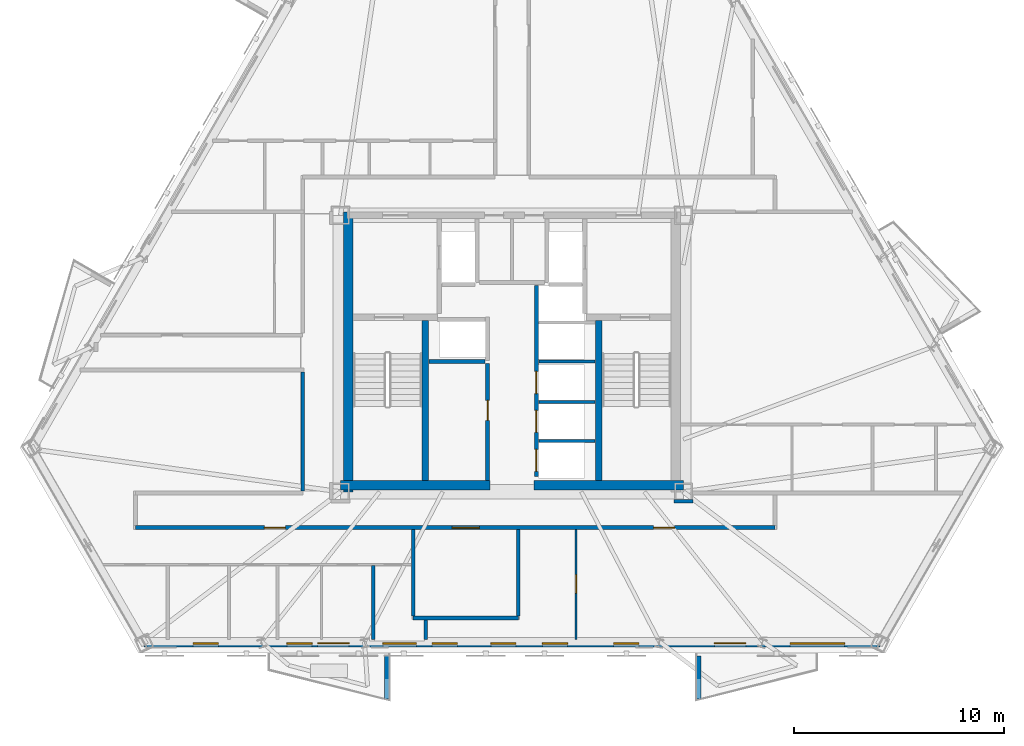
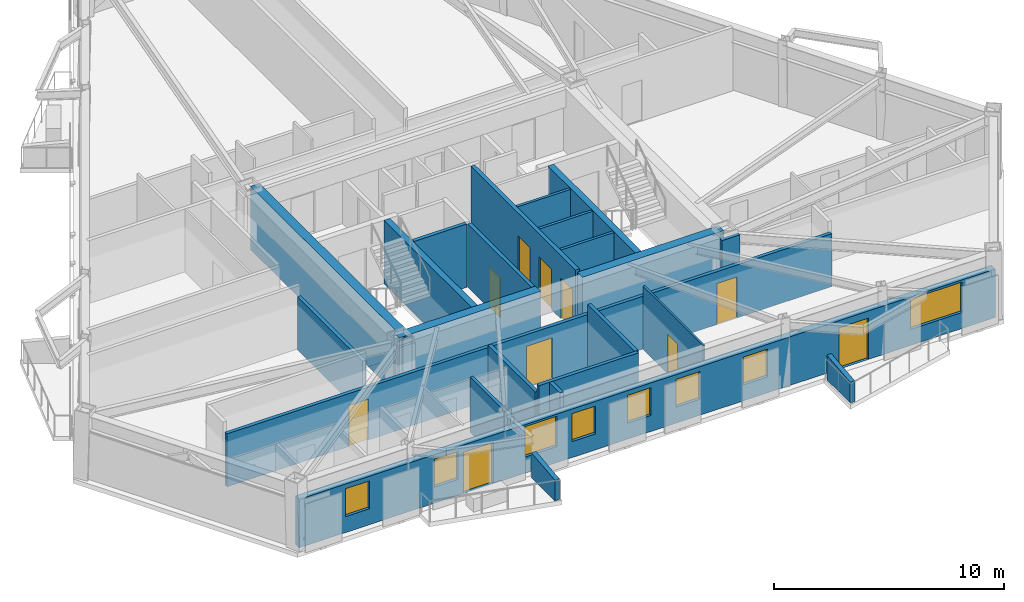
# One storey, part 3 of 9: 23 walls, 10 doors, 8 windows, 18 openings.
"""IFC4 building model written with IfcOpenShell, lengths in metres."""

from ifc_helpers import new_model, si_unit, direction, frame, frame_2d, origin, place, context, subcontext, project, spatial, polyline, rectangle, outline, extrude, material, layer, layer_set, type_object, element, fill, save


model = new_model("IFC4")

# Units and contexts
model_context = context("Model", 3, precision=1e-05, world=origin(), true_north=direction((0.0, 1.0)))
body_context = subcontext(model_context, "Body", "Model", "MODEL_VIEW")
ifc_project = project(units=[si_unit("LENGTHUNIT", "METRE"), si_unit("AREAUNIT", "SQUARE_METRE"), si_unit("VOLUMEUNIT", "CUBIC_METRE"), si_unit("PLANEANGLEUNIT", "RADIAN"), si_unit("MASSUNIT", "GRAM", prefix="KILO")], contexts=[model_context])

# Site, building, storey
site_placement = place(None, origin())
site = spatial("IfcSite", under=ifc_project, at=site_placement, CompositionType="ELEMENT")
building_placement = place(site_placement, origin())
building = spatial("IfcBuilding", under=site, at=building_placement, Name="Oramaril Tower", CompositionType="ELEMENT")
storey_placement = place(building_placement, frame((0.0, 0.0, 123.0)))
storey = spatial("IfcBuildingStorey", under=building, at=storey_placement, Name="L32", CompositionType="ELEMENT", Elevation=123.0)

# Wall, openings, doors, windows
ifc_material_1 = material(Name="Warm Cream Limestone", Category="masonry")
ifc_layer_1 = layer(ifc_material_1, 0.340087890625)
ifc_layer_set_1 = layer_set([ifc_layer_1], Name="WT-EXT34")
wall_type_1 = type_object("IfcWallType", Name="WT-EXT34", PredefinedType="SOLIDWALL", material=ifc_layer_set_1)
wall_1_placement = place(storey_placement, frame((20.01220703125, 3.796142578125, 0.0), z_axis=(0.0, 0.0, 1.0), x_axis=(1.0, 0.0, 0.0)))
wall_1 = element("IfcWall", 1, at=wall_1_placement, inside=storey, type_object=wall_type_1, Name="L32 Tower Limestone Facade Wall 2M", PredefinedType="SOLIDWALL", context=body_context, shape_type="SweptSolid", body=[
    extrude(rectangle(XDim=34.9755859375, YDim=0.340087890625, at=frame_2d((17.48779296875, 0.0))), origin(), (0.0, 0.0, 1.0), 2.577880859375),
])
opening_1_placement = place(wall_1_placement, frame((8.244384765625, 0.0, 0.0)))
opening_1 = element("IfcOpeningElement", 2, at=opening_1_placement, cuts=wall_1, Name="Opening D-L32-BAL-S1", PredefinedType="OPENING", context=body_context, shape_type="SweptSolid", body=[
    extrude(rectangle(XDim=1.5, YDim=2.199951171875, at=frame_2d((0.75, 1.10009765625))), frame((0.0, 0.169921875, 0.0), z_axis=(0.0, -1.0, 0.0), x_axis=(1.0, 0.0, 0.0)), (0.0, 0.0, 1.0), 0.340087890625),
])
opening_2_placement = place(wall_1_placement, frame((27.106201171875, 0.0, 0.0)))
opening_2 = element("IfcOpeningElement", 3, at=opening_2_placement, cuts=wall_1, Name="Opening D-L32-BAL-S2", PredefinedType="OPENING", context=body_context, shape_type="SweptSolid", body=[
    extrude(rectangle(XDim=1.5, YDim=2.199951171875, at=frame_2d((0.75, 1.10009765625))), frame((0.0, 0.169921875, 0.0), z_axis=(0.0, -1.0, 0.0), x_axis=(1.0, 0.0, 0.0)), (0.0, 0.0, 1.0), 0.340087890625),
])
opening_3_placement = place(wall_1_placement, frame((13.689697265625, 0.0, 0.85009765625)))
opening_3 = element("IfcOpeningElement", 4, at=opening_3_placement, cuts=wall_1, Name="Opening WN-09", PredefinedType="OPENING", context=body_context, shape_type="SweptSolid", body=[
    extrude(rectangle(XDim=1.199951171875, YDim=1.47998046875, at=frame_2d((0.60009765625, 0.739990234375))), frame((0.0, 0.169921875, 0.0), z_axis=(0.0, -1.0, 0.0), x_axis=(1.0, 0.0, 0.0)), (0.0, 0.0, 1.0), 0.340087890625),
])
opening_4_placement = place(wall_1_placement, frame((16.477783203125, 0.0, 0.85009765625)))
opening_4 = element("IfcOpeningElement", 5, at=opening_4_placement, cuts=wall_1, Name="Opening WN-09", PredefinedType="OPENING", context=body_context, shape_type="SweptSolid", body=[
    extrude(rectangle(XDim=1.199951171875, YDim=1.47998046875, at=frame_2d((0.60009765625, 0.739990234375))), frame((0.0, 0.169921875, 0.0), z_axis=(0.0, -1.0, 0.0), x_axis=(1.0, 0.0, 0.0)), (0.0, 0.0, 1.0), 0.340087890625),
])
opening_5_placement = place(wall_1_placement, frame((22.322509765625, 0.0, 0.85009765625)))
opening_5 = element("IfcOpeningElement", 6, at=opening_5_placement, cuts=wall_1, Name="Opening WN-09", PredefinedType="OPENING", context=body_context, shape_type="SweptSolid", body=[
    extrude(rectangle(XDim=1.199951171875, YDim=1.47998046875, at=frame_2d((0.60009765625, 0.739990234375))), frame((0.0, 0.169921875, 0.0), z_axis=(0.0, -1.0, 0.0), x_axis=(1.0, 0.0, 0.0)), (0.0, 0.0, 1.0), 0.340087890625),
])
opening_6_placement = place(wall_1_placement, frame((30.70849609375, 0.0, 0.85009765625)))
opening_6 = element("IfcOpeningElement", 7, at=opening_6_placement, cuts=wall_1, Name="Opening WN-02", PredefinedType="OPENING", context=body_context, shape_type="SweptSolid", body=[
    extrude(rectangle(XDim=2.60009765625, YDim=1.617919921875, at=frame_2d((1.300048828125, 0.80908203125))), frame((0.0, 0.169921875, 0.0), z_axis=(0.0, -1.0, 0.0), x_axis=(1.0, 0.0, 0.0)), (0.0, 0.0, 1.0), 0.340087890625),
])
opening_7_placement = place(wall_1_placement, frame((18.92822265625, 0.0, 0.85009765625)))
opening_7 = element("IfcOpeningElement", 8, at=opening_7_placement, cuts=wall_1, Name="Opening WN-09", PredefinedType="OPENING", context=body_context, shape_type="SweptSolid", body=[
    extrude(rectangle(XDim=1.199951171875, YDim=1.47998046875, at=frame_2d((0.60009765625, 0.739990234375))), frame((0.0, 0.169921875, 0.0), z_axis=(0.0, -1.0, 0.0), x_axis=(1.0, 0.0, 0.0)), (0.0, 0.0, 1.0), 0.340087890625),
])
opening_8_placement = place(wall_1_placement, frame((2.3203125, 0.0, 0.85009765625)))
opening_8 = element("IfcOpeningElement", 9, at=opening_8_placement, cuts=wall_1, Name="Opening WN-09", PredefinedType="OPENING", context=body_context, shape_type="SweptSolid", body=[
    extrude(rectangle(XDim=1.199951171875, YDim=1.47998046875, at=frame_2d((0.60009765625, 0.739990234375))), frame((0.0, 0.169921875, 0.0), z_axis=(0.0, -1.0, 0.0), x_axis=(1.0, 0.0, 0.0)), (0.0, 0.0, 1.0), 0.340087890625),
])
opening_9_placement = place(wall_1_placement, frame((6.781982421875, 0.0, 0.85009765625)))
opening_9 = element("IfcOpeningElement", 10, at=opening_9_placement, cuts=wall_1, Name="Opening WN-09", PredefinedType="OPENING", context=body_context, shape_type="SweptSolid", body=[
    extrude(rectangle(XDim=1.199951171875, YDim=1.47998046875, at=frame_2d((0.60009765625, 0.739990234375))), frame((0.0, 0.169921875, 0.0), z_axis=(0.0, -1.0, 0.0), x_axis=(1.0, 0.0, 0.0)), (0.0, 0.0, 1.0), 0.340087890625),
])
opening_10_placement = place(wall_1_placement, frame((11.3427734375, 0.0, 0.85009765625)))
opening_10 = element("IfcOpeningElement", 11, at=opening_10_placement, cuts=wall_1, Name="Opening WN-07", PredefinedType="OPENING", context=body_context, shape_type="SweptSolid", body=[
    extrude(rectangle(XDim=1.60009765625, YDim=1.617919921875, at=frame_2d((0.800048828125, 0.80908203125))), frame((0.0, 0.169921875, 0.0), z_axis=(0.0, -1.0, 0.0), x_axis=(1.0, 0.0, 0.0)), (0.0, 0.0, 1.0), 0.340087890625),
])
ifc_material_2 = material(Name="Anodised Aluminium 6063-T6", Category="aluminium")
door_type_1 = type_object("IfcDoorType", Name="DT-BAL", OperationType="NOTDEFINED", PredefinedType="DOOR", material=ifc_material_2)
door_1_placement = place(opening_1_placement, origin())
door_1 = element("IfcDoor", 12, at=door_1_placement, inside=storey, type_object=door_type_1, Name="L32 Balcony Glazed Door L32-BAL-S1", OperationType="SINGLE_SWING_LEFT", OverallHeight=2.199951171875, OverallWidth=1.5, PredefinedType="DOOR", context=body_context, shape_type="SweptSolid", body=[
    extrude(rectangle(XDim=1.5, YDim=2.199951171875, at=frame_2d((0.75, 1.10009765625))), frame((0.0, 0.02490234375, 0.0), z_axis=(0.0, -1.0, 0.0), x_axis=(1.0, 0.0, 0.0)), (0.0, 0.0, 1.0), 0.050048828125),
])
fill(opening_1, door_1)
door_2_placement = place(opening_2_placement, origin())
door_2 = element("IfcDoor", 13, at=door_2_placement, inside=storey, type_object=door_type_1, Name="L32 Balcony Glazed Door L32-BAL-S2", OperationType="SINGLE_SWING_RIGHT", OverallHeight=2.199951171875, OverallWidth=1.5, PredefinedType="DOOR", context=body_context, shape_type="SweptSolid", body=[
    extrude(rectangle(XDim=1.5, YDim=2.199951171875, at=frame_2d((0.75, 1.10009765625))), frame((0.0, 0.02490234375, 0.0), z_axis=(0.0, -1.0, 0.0), x_axis=(1.0, 0.0, 0.0)), (0.0, 0.0, 1.0), 0.050048828125),
])
fill(opening_2, door_2)
ifc_material_3 = material(Name="Coastal Low-E Insulated Glass", Category="glass")
window_type_1 = type_object("IfcWindowType", Name="WNT-02", PartitioningType="SINGLE_PANEL", PredefinedType="WINDOW", material=ifc_material_3)
window_1_placement = place(opening_6_placement, origin())
window_1 = element("IfcWindow", 14, at=window_1_placement, inside=storey, type_object=window_type_1, Name="L32 Chicago Bay Window WN-02", OverallHeight=1.617919921875, OverallWidth=2.60009765625, PartitioningType="SINGLE_PANEL", PredefinedType="WINDOW", context=body_context, shape_type="SweptSolid", body=[
    extrude(rectangle(XDim=2.60009765625, YDim=1.617919921875, at=frame_2d((1.300048828125, 0.80908203125))), frame((0.0, 0.030029296875, 0.0), z_axis=(0.0, -1.0, 0.0), x_axis=(1.0, 0.0, 0.0)), (0.0, 0.0, 1.0), 0.06005859375),
])
fill(opening_6, window_1)
ifc_material_4 = material(Name="Coastal Low-E Insulated Glass", Category="glass")
window_type_2 = type_object("IfcWindowType", Name="WNT-07", PartitioningType="SINGLE_PANEL", PredefinedType="WINDOW", material=ifc_material_4)
window_2_placement = place(opening_10_placement, origin())
window_2 = element("IfcWindow", 15, at=window_2_placement, inside=storey, type_object=window_type_2, Name="L32 Chicago Bay Window WN-07", OverallHeight=1.617919921875, OverallWidth=1.60009765625, PartitioningType="SINGLE_PANEL", PredefinedType="WINDOW", context=body_context, shape_type="SweptSolid", body=[
    extrude(rectangle(XDim=1.60009765625, YDim=1.617919921875, at=frame_2d((0.800048828125, 0.80908203125))), frame((0.0, 0.030029296875, 0.0), z_axis=(0.0, -1.0, 0.0), x_axis=(1.0, 0.0, 0.0)), (0.0, 0.0, 1.0), 0.06005859375),
])
fill(opening_10, window_2)
ifc_material_5 = material(Name="Coastal Low-E Insulated Glass", Category="glass")
window_type_3 = type_object("IfcWindowType", Name="WNT-09", PartitioningType="SINGLE_PANEL", PredefinedType="WINDOW", material=ifc_material_5)
window_3_placement = place(opening_3_placement, origin())
window_3 = element("IfcWindow", 16, at=window_3_placement, inside=storey, type_object=window_type_3, Name="L32 Chicago Bay Window WN-09", OverallHeight=1.47998046875, OverallWidth=1.199951171875, PartitioningType="SINGLE_PANEL", PredefinedType="WINDOW", context=body_context, shape_type="SweptSolid", body=[
    extrude(rectangle(XDim=1.199951171875, YDim=1.47998046875, at=frame_2d((0.60009765625, 0.739990234375))), frame((0.0, 0.030029296875, 0.0), z_axis=(0.0, -1.0, 0.0), x_axis=(1.0, 0.0, 0.0)), (0.0, 0.0, 1.0), 0.06005859375),
])
fill(opening_3, window_3)
window_4_placement = place(opening_4_placement, origin())
window_4 = element("IfcWindow", 17, at=window_4_placement, inside=storey, type_object=window_type_3, Name="L32 Chicago Bay Window WN-09", OverallHeight=1.47998046875, OverallWidth=1.199951171875, PartitioningType="SINGLE_PANEL", PredefinedType="WINDOW", context=body_context, shape_type="SweptSolid", body=[
    extrude(rectangle(XDim=1.199951171875, YDim=1.47998046875, at=frame_2d((0.60009765625, 0.739990234375))), frame((0.0, 0.030029296875, 0.0), z_axis=(0.0, -1.0, 0.0), x_axis=(1.0, 0.0, 0.0)), (0.0, 0.0, 1.0), 0.06005859375),
])
fill(opening_4, window_4)
window_5_placement = place(opening_5_placement, origin())
window_5 = element("IfcWindow", 18, at=window_5_placement, inside=storey, type_object=window_type_3, Name="L32 Chicago Bay Window WN-09", OverallHeight=1.47998046875, OverallWidth=1.199951171875, PartitioningType="SINGLE_PANEL", PredefinedType="WINDOW", context=body_context, shape_type="SweptSolid", body=[
    extrude(rectangle(XDim=1.199951171875, YDim=1.47998046875, at=frame_2d((0.60009765625, 0.739990234375))), frame((0.0, 0.030029296875, 0.0), z_axis=(0.0, -1.0, 0.0), x_axis=(1.0, 0.0, 0.0)), (0.0, 0.0, 1.0), 0.06005859375),
])
fill(opening_5, window_5)
window_6_placement = place(opening_7_placement, origin())
window_6 = element("IfcWindow", 19, at=window_6_placement, inside=storey, type_object=window_type_3, Name="L32 Chicago Bay Window WN-09", OverallHeight=1.47998046875, OverallWidth=1.199951171875, PartitioningType="SINGLE_PANEL", PredefinedType="WINDOW", context=body_context, shape_type="SweptSolid", body=[
    extrude(rectangle(XDim=1.199951171875, YDim=1.47998046875, at=frame_2d((0.60009765625, 0.739990234375))), frame((0.0, 0.030029296875, 0.0), z_axis=(0.0, -1.0, 0.0), x_axis=(1.0, 0.0, 0.0)), (0.0, 0.0, 1.0), 0.06005859375),
])
fill(opening_7, window_6)
window_7_placement = place(opening_8_placement, origin())
window_7 = element("IfcWindow", 20, at=window_7_placement, inside=storey, type_object=window_type_3, Name="L32 Chicago Bay Window WN-09", OverallHeight=1.47998046875, OverallWidth=1.199951171875, PartitioningType="SINGLE_PANEL", PredefinedType="WINDOW", context=body_context, shape_type="SweptSolid", body=[
    extrude(rectangle(XDim=1.199951171875, YDim=1.47998046875, at=frame_2d((0.60009765625, 0.739990234375))), frame((0.0, 0.030029296875, 0.0), z_axis=(0.0, -1.0, 0.0), x_axis=(1.0, 0.0, 0.0)), (0.0, 0.0, 1.0), 0.06005859375),
])
fill(opening_8, window_7)
window_8_placement = place(opening_9_placement, origin())
window_8 = element("IfcWindow", 21, at=window_8_placement, inside=storey, type_object=window_type_3, Name="L32 Chicago Bay Window WN-09", OverallHeight=1.47998046875, OverallWidth=1.199951171875, PartitioningType="SINGLE_PANEL", PredefinedType="WINDOW", context=body_context, shape_type="SweptSolid", body=[
    extrude(rectangle(XDim=1.199951171875, YDim=1.47998046875, at=frame_2d((0.60009765625, 0.739990234375))), frame((0.0, 0.030029296875, 0.0), z_axis=(0.0, -1.0, 0.0), x_axis=(1.0, 0.0, 0.0)), (0.0, 0.0, 1.0), 0.06005859375),
])
fill(opening_9, window_8)

# Walls
ifc_material_6 = material(Name="Concrete C40/50", Category="concrete")
ifc_layer_2 = layer(ifc_material_6, 0.22998046875)
ifc_layer_set_2 = layer_set([ifc_layer_2], Name="WT-PRP23")
wall_type_2 = type_object("IfcWallType", Name="WT-PRP23", PredefinedType="PARAPET", material=ifc_layer_set_2)
for number, where, z_axis, x_axis, name in (
    (22, (31.54150390625, 3.197998046875, 0.0), (0.0, 0.0, 1.0), (0.0, -1.0, 0.0), "L32 Trapezoidal Balcony Frame Cheek L32-BAL-S1-R"),
    (23, (46.38330078125, 3.197998046875, 0.0), (0.0, 0.0, 1.0), (0.0, -1.0, 0.0), "L32 Trapezoidal Balcony Frame Cheek L32-BAL-S2-L"),
):
    element("IfcWall", number, at=place(storey_placement, frame(where, z_axis=z_axis, x_axis=x_axis)), inside=storey, type_object=wall_type_2, Name=name, PredefinedType="PARAPET", context=body_context, shape_type="SweptSolid", body=[
        extrude(outline(polyline([(0.0, 0.0), (2.0419921875, 0.0), (2.0419921875, 1.10009765625), (0.0, 1.320068359375), (0.0, 0.0)])), frame((0.0, 0.114990234375, 0.0), z_axis=(0.0, -1.0, 0.0), x_axis=(1.0, 0.0, 0.0)), (0.0, 0.0, 1.0), 0.22998046875),
    ])

# Wall, opening, door
ifc_material_7 = material(Name="Acoustic Gypsum Board Partition")
ifc_layer_3 = layer(ifc_material_7, 0.10009765625)
ifc_layer_set_3 = layer_set([ifc_layer_3], Name="WT-PT10")
wall_type_3 = type_object("IfcWallType", Name="WT-PT10", PredefinedType="PARTITIONING", material=ifc_layer_set_3)
wall_2_placement = place(storey_placement, frame((40.550048828125, 3.97021484375, 0.0), z_axis=(0.0, 0.0, 1.0), x_axis=(0.0, 1.0, 0.0)))
wall_2 = element("IfcWall", 24, at=wall_2_placement, inside=storey, type_object=wall_type_3, Name="L32 Interior Partition PT-10", PredefinedType="PARTITIONING", context=body_context, shape_type="SweptSolid", body=[
    extrude(rectangle(XDim=5.23583984375, YDim=0.10009765625, at=frame_2d((2.617919921875, 0.0))), origin(), (0.0, 0.0, 1.0), 3.360107421875),
])
opening_11_placement = place(wall_2_placement, frame((2.212890625, 0.0, 0.0)))
opening_11 = element("IfcOpeningElement", 25, at=opening_11_placement, cuts=wall_2, Name="Opening D-L32-24", PredefinedType="OPENING", context=body_context, shape_type="SweptSolid", body=[
    extrude(rectangle(XDim=0.8798828125, YDim=2.080078125, at=frame_2d((0.43994140625, 1.0400390625))), frame((0.0, 0.050048828125, 0.0), z_axis=(0.0, -1.0, 0.0), x_axis=(1.0, 0.0, 0.0)), (0.0, 0.0, 1.0), 0.10009765625),
])
ifc_material_8 = material(Name="FSC Brazilian Freijo Hardwood", Category="wood")
door_type_2 = type_object("IfcDoorType", Name="DT-BATH", OperationType="NOTDEFINED", PredefinedType="DOOR", material=ifc_material_8)
door_3_placement = place(opening_11_placement, origin())
door_3 = element("IfcDoor", 26, at=door_3_placement, inside=storey, type_object=door_type_2, Name="L32 Flat L32-U1 Bathroom Door D-L32-24", OperationType="SINGLE_SWING_RIGHT", OverallHeight=2.080078125, OverallWidth=0.8798828125, PredefinedType="DOOR", context=body_context, shape_type="SweptSolid", body=[
    extrude(rectangle(XDim=0.8798828125, YDim=2.080078125, at=frame_2d((0.43994140625, 1.0400390625))), frame((0.0, 0.02490234375, 0.0), z_axis=(0.0, -1.0, 0.0), x_axis=(1.0, 0.0, 0.0)), (0.0, 0.0, 1.0), 0.050048828125),
])
fill(opening_11, door_3)

# Walls
ifc_material_9 = material(Name="Acoustic Gypsum Board Partition")
ifc_layer_4 = layer(ifc_material_9, 0.139892578125)
ifc_layer_set_4 = layer_set([ifc_layer_4], Name="WT-PT14")
wall_type_4 = type_object("IfcWallType", Name="WT-PT14", PredefinedType="PARTITIONING", material=ifc_layer_set_4)
for number, where, z_axis, x_axis, name in (
    (27, (38.780029296875, 13.419921875, 0.0), (0.0, 0.0, 1.0), (1.0, 0.0, 0.0), "L32 East Lift Divider"),
    (28, (38.780029296875, 15.27001953125, 0.0), (0.0, 0.0, 1.0), (1.0, 0.0, 0.0), "L32 East Lift Divider"),
    (29, (38.780029296875, 17.199951171875, 0.0), (0.0, 0.0, 1.0), (1.0, 0.0, 0.0), "L32 East Lift Divider"),
):
    element("IfcWall", number, at=place(storey_placement, frame(where, z_axis=z_axis, x_axis=x_axis)), inside=storey, type_object=wall_type_4, Name=name, PredefinedType="PARTITIONING", context=body_context, shape_type="SweptSolid", body=[
        extrude(rectangle(XDim=2.659912109375, YDim=0.139892578125, at=frame_2d((1.330078125, 0.0))), origin(), (0.0, 0.0, 1.0), 3.360107421875),
    ])
ifc_material_10 = material(Name="Acoustic Gypsum Board Partition")
ifc_layer_5 = layer(ifc_material_10, 0.159912109375)
ifc_layer_set_5 = layer_set([ifc_layer_5], Name="WT-PT16")
wall_type_5 = type_object("IfcWallType", Name="WT-PT16", PredefinedType="PARTITIONING", material=ifc_layer_set_5)
wall_3_placement = place(storey_placement, frame((30.909912109375, 3.97021484375, 0.0), z_axis=(0.0, 0.0, 1.0), x_axis=(0.0, 1.0, 0.0)))
element("IfcWall", 30, at=wall_3_placement, inside=storey, type_object=wall_type_5, Name="L32 Interior Partition PT-16", PredefinedType="PARTITIONING", context=body_context, shape_type="SweptSolid", body=[
    extrude(rectangle(XDim=3.52587890625, YDim=0.159912109375, at=frame_2d((1.762939453125, 0.0))), origin(), (0.0, 0.0, 1.0), 2.946044921875),
])
ifc_material_11 = material(Name="Autoclaved Cellular Concrete Block", Category="concrete")
ifc_layer_6 = layer(ifc_material_11, 0.179931640625)
ifc_layer_set_6 = layer_set([ifc_layer_6], Name="WT-PT18")
wall_type_6 = type_object("IfcWallType", Name="WT-PT18", PredefinedType="PARTITIONING", material=ifc_layer_set_6)
wall_4_placement = place(storey_placement, frame((33.56005859375, 17.199951171875, 0.0), z_axis=(0.0, 0.0, 1.0), x_axis=(1.0, 0.0, 0.0)))
element("IfcWall", 31, at=wall_4_placement, inside=storey, type_object=wall_type_6, Name="L32 High-Rise Lift H1 South Wall", PredefinedType="PARTITIONING", context=body_context, shape_type="SweptSolid", body=[
    extrude(rectangle(XDim=2.659912109375, YDim=0.179931640625, at=frame_2d((1.330078125, 0.0))), origin(), (0.0, 0.0, 1.0), 3.360107421875),
])

# Wall, opening, door
wall_5_placement = place(storey_placement, frame((36.340087890625, 11.550048828125, 0.0), z_axis=(0.0, 0.0, 1.0), x_axis=(0.0, 1.0, 0.0)))
wall_5 = element("IfcWall", 32, at=wall_5_placement, inside=storey, type_object=wall_type_6, Name="L32 Freed Shaft Study East Wall", PredefinedType="PARTITIONING", context=body_context, shape_type="SweptSolid", body=[
    extrude(rectangle(XDim=5.550048828125, YDim=0.179931640625, at=frame_2d((2.77490234375, 0.0))), origin(), (0.0, 0.0, 1.0), 3.360107421875),
])
opening_12_placement = place(wall_5_placement, frame((2.85009765625, 0.0, 0.0)))
opening_12 = element("IfcOpeningElement", 33, at=opening_12_placement, cuts=wall_5, Name="Opening D-L32-FL1", PredefinedType="OPENING", context=body_context, shape_type="SweptSolid", body=[
    extrude(rectangle(XDim=0.949951171875, YDim=2.10009765625, at=frame_2d((0.47509765625, 1.050048828125))), frame((0.0, 0.08984375, 0.0), z_axis=(0.0, -1.0, 0.0), x_axis=(1.0, 0.0, 0.0)), (0.0, 0.0, 1.0), 0.179931640625),
])
ifc_material_12 = material(Name="FSC Brazilian Freijo Hardwood", Category="wood")
door_type_3 = type_object("IfcDoorType", Name="DT-STDY", OperationType="NOTDEFINED", PredefinedType="DOOR", material=ifc_material_12)
door_4_placement = place(opening_12_placement, origin())
door_4 = element("IfcDoor", 34, at=door_4_placement, inside=storey, type_object=door_type_3, Name="L32 L32 Residents Study Alcove Door", OperationType="SINGLE_SWING_LEFT", OverallHeight=2.10009765625, OverallWidth=0.949951171875, PredefinedType="DOOR", context=body_context, shape_type="SweptSolid", body=[
    extrude(rectangle(XDim=0.949951171875, YDim=2.10009765625, at=frame_2d((0.47509765625, 1.050048828125))), frame((0.0, 0.02490234375, 0.0), z_axis=(0.0, -1.0, 0.0), x_axis=(1.0, 0.0, 0.0)), (0.0, 0.0, 1.0), 0.050048828125),
])
fill(opening_12, door_4)

# Wall
wall_6_placement = place(storey_placement, frame((32.800048828125, 5.0, 0.0), z_axis=(0.0, 0.0, 1.0), x_axis=(1.0, 0.0, 0.0)))
element("IfcWall", 35, at=wall_6_placement, inside=storey, type_object=wall_type_6, Name="L32 Interior Partition PT-18", PredefinedType="PARTITIONING", context=body_context, shape_type="SweptSolid", body=[
    extrude(rectangle(XDim=5.0, YDim=0.179931640625, at=frame_2d((2.5, 0.0))), origin(), (0.0, 0.0, 1.0), 3.360107421875),
])

# Wall, openings, doors
wall_7_placement = place(storey_placement, frame((19.60009765625, 9.300048828125, 0.0), z_axis=(0.0, 0.0, 1.0), x_axis=(1.0, 0.0, 0.0)))
wall_7 = element("IfcWall", 36, at=wall_7_placement, inside=storey, type_object=wall_type_6, Name="L32 Interior Partition PT-18", PredefinedType="PARTITIONING", context=body_context, shape_type="SweptSolid", body=[
    extrude(rectangle(XDim=30.39990234375, YDim=0.179931640625, at=frame_2d((15.199951171875, 0.0))), origin(), (0.0, 0.0, 1.0), 2.81396484375),
])
opening_13_placement = place(wall_7_placement, frame((6.12109375, 0.0, 0.0)))
opening_13 = element("IfcOpeningElement", 37, at=opening_13_placement, cuts=wall_7, Name="Opening D-L32-07", PredefinedType="OPENING", context=body_context, shape_type="SweptSolid", body=[
    extrude(rectangle(XDim=1.0, YDim=2.179931640625, at=frame_2d((0.5, 1.08984375))), frame((0.0, 0.08984375, 0.0), z_axis=(0.0, -1.0, 0.0), x_axis=(1.0, 0.0, 0.0)), (0.0, 0.0, 1.0), 0.179931640625),
])
opening_14_placement = place(wall_7_placement, frame((15.050048828125, 0.0, 0.0)))
opening_14 = element("IfcOpeningElement", 38, at=opening_14_placement, cuts=wall_7, Name="Opening D-L32-08", PredefinedType="OPENING", context=body_context, shape_type="SweptSolid", body=[
    extrude(rectangle(XDim=1.300048828125, YDim=2.199951171875, at=frame_2d((0.64990234375, 1.10009765625))), frame((0.0, 0.08984375, 0.0), z_axis=(0.0, -1.0, 0.0), x_axis=(1.0, 0.0, 0.0)), (0.0, 0.0, 1.0), 0.179931640625),
])
opening_15_placement = place(wall_7_placement, frame((24.6328125, 0.0, 0.0)))
opening_15 = element("IfcOpeningElement", 39, at=opening_15_placement, cuts=wall_7, Name="Opening D-L32-09", PredefinedType="OPENING", context=body_context, shape_type="SweptSolid", body=[
    extrude(rectangle(XDim=1.0, YDim=2.179931640625, at=frame_2d((0.5, 1.08984375))), frame((0.0, 0.08984375, 0.0), z_axis=(0.0, -1.0, 0.0), x_axis=(1.0, 0.0, 0.0)), (0.0, 0.0, 1.0), 0.179931640625),
])
ifc_material_13 = material(Name="FSC Brazilian Freijo Hardwood", Category="wood")
door_type_4 = type_object("IfcDoorType", Name="DT-APT", OperationType="NOTDEFINED", PredefinedType="DOOR", material=ifc_material_13)
door_5_placement = place(opening_13_placement, origin())
door_5 = element("IfcDoor", 40, at=door_5_placement, inside=storey, type_object=door_type_4, Name="L32 Flat L32-U2 Penthouse Living and Dining Room Door D-L32-07", OperationType="SINGLE_SWING_LEFT", OverallHeight=2.179931640625, OverallWidth=1.0, PredefinedType="DOOR", context=body_context, shape_type="SweptSolid", body=[
    extrude(rectangle(XDim=1.0, YDim=2.179931640625, at=frame_2d((0.5, 1.08984375))), frame((0.0, 0.02490234375, 0.0), z_axis=(0.0, -1.0, 0.0), x_axis=(1.0, 0.0, 0.0)), (0.0, 0.0, 1.0), 0.050048828125),
])
fill(opening_13, door_5)
door_6_placement = place(opening_15_placement, origin())
door_6 = element("IfcDoor", 41, at=door_6_placement, inside=storey, type_object=door_type_4, Name="L32 Flat L32-U1 Kitchen and Studio Apartment Door D-L32-09", OperationType="SINGLE_SWING_LEFT", OverallHeight=2.179931640625, OverallWidth=1.0, PredefinedType="DOOR", context=body_context, shape_type="SweptSolid", body=[
    extrude(rectangle(XDim=1.0, YDim=2.179931640625, at=frame_2d((0.5, 1.08984375))), frame((0.0, 0.02490234375, 0.0), z_axis=(0.0, -1.0, 0.0), x_axis=(1.0, 0.0, 0.0)), (0.0, 0.0, 1.0), 0.050048828125),
])
fill(opening_15, door_6)
ifc_material_14 = material(Name="FSC Brazilian Freijo Hardwood", Category="wood")
door_type_5 = type_object("IfcDoorType", Name="DT-COM", OperationType="NOTDEFINED", PredefinedType="DOOR", material=ifc_material_14)
door_7_placement = place(opening_14_placement, origin())
door_7 = element("IfcDoor", 42, at=door_7_placement, inside=storey, type_object=door_type_5, Name="L32 L32 Residents Floor Meeting Suite Door D-L32-08", OperationType="SINGLE_SWING_RIGHT", OverallHeight=2.199951171875, OverallWidth=1.300048828125, PredefinedType="DOOR", context=body_context, shape_type="SweptSolid", body=[
    extrude(rectangle(XDim=1.300048828125, YDim=2.199951171875, at=frame_2d((0.64990234375, 1.10009765625))), frame((0.0, 0.02490234375, 0.0), z_axis=(0.0, -1.0, 0.0), x_axis=(1.0, 0.0, 0.0)), (0.0, 0.0, 1.0), 0.050048828125),
])
fill(opening_14, door_7)

# Walls
wall_8_placement = place(storey_placement, frame((45.205078125, 10.550048828125, 0.0), z_axis=(0.0, 0.0, 1.0), x_axis=(1.0, 0.0, 0.0)))
element("IfcWall", 43, at=wall_8_placement, inside=storey, type_object=wall_type_6, Name="L32 Interior Partition PT-18", PredefinedType="PARTITIONING", context=body_context, shape_type="SweptSolid", body=[
    extrude(rectangle(XDim=0.889892578125, YDim=0.179931640625, at=frame_2d((0.44482421875, 0.0))), origin(), (0.0, 0.0, 1.0), 3.360107421875),
])
wall_9_placement = place(storey_placement, frame((27.550048828125, 11.0439453125, 0.0), z_axis=(0.0, 0.0, 1.0), x_axis=(0.0, 1.0, 0.0)))
element("IfcWall", 44, at=wall_9_placement, inside=storey, type_object=wall_type_6, Name="L32 Interior Partition PT-18", PredefinedType="PARTITIONING", context=body_context, shape_type="SweptSolid", body=[
    extrude(rectangle(XDim=5.662109375, YDim=0.179931640625, at=frame_2d((2.8310546875, 0.0))), origin(), (0.0, 0.0, 1.0), 2.81396484375),
])
wall_10_placement = place(storey_placement, frame((32.800048828125, 5.093994140625, 0.0), z_axis=(0.0, 0.0, 1.0), x_axis=(0.0, 1.0, 0.0)))
element("IfcWall", 45, at=wall_10_placement, inside=storey, type_object=wall_type_6, Name="L32 Interior Partition PT-18", PredefinedType="PARTITIONING", context=body_context, shape_type="SweptSolid", body=[
    extrude(rectangle(XDim=4.112060546875, YDim=0.179931640625, at=frame_2d((2.05615234375, 0.0))), origin(), (0.0, 0.0, 1.0), 2.946044921875),
])
wall_11_placement = place(storey_placement, frame((33.39990234375, 3.97021484375, 0.0), z_axis=(0.0, 0.0, 1.0), x_axis=(0.0, 1.0, 0.0)))
element("IfcWall", 46, at=wall_11_placement, inside=storey, type_object=wall_type_6, Name="L32 Interior Partition PT-18", PredefinedType="PARTITIONING", context=body_context, shape_type="SweptSolid", body=[
    extrude(rectangle(XDim=0.935791015625, YDim=0.179931640625, at=frame_2d((0.4677734375, 0.0))), origin(), (0.0, 0.0, 1.0), 3.360107421875),
])
wall_12_placement = place(storey_placement, frame((37.800048828125, 5.093994140625, 0.0), z_axis=(0.0, 0.0, 1.0), x_axis=(0.0, 1.0, 0.0)))
element("IfcWall", 47, at=wall_12_placement, inside=storey, type_object=wall_type_6, Name="L32 Interior Partition PT-18", PredefinedType="PARTITIONING", context=body_context, shape_type="SweptSolid", body=[
    extrude(rectangle(XDim=4.112060546875, YDim=0.179931640625, at=frame_2d((2.05615234375, 0.0))), origin(), (0.0, 0.0, 1.0), 3.360107421875),
])
ifc_material_15 = material(Name="Concrete C50/60", Category="concrete")
ifc_layer_7 = layer(ifc_material_15, 0.300048828125)
ifc_layer_set_7 = layer_set([ifc_layer_7], Name="WT-SH30")
wall_type_7 = type_object("IfcWallType", Name="WT-SH30", PredefinedType="SHEAR", material=ifc_layer_set_7)
for number, where, z_axis, x_axis, name in (
    (48, (33.3798828125, 11.5400390625, 0.0), (0.0, 0.0, 1.0), (0.0, 1.0, 0.0), "L32 Core Shear Wall CW-ST1E"),
    (49, (41.6201171875, 11.5400390625, 0.0), (0.0, 0.0, 1.0), (0.0, 1.0, 0.0), "L32 Core Shear Wall CW-ST2W"),
):
    element("IfcWall", number, at=place(storey_placement, frame(where, z_axis=z_axis, x_axis=x_axis)), inside=storey, type_object=wall_type_7, Name=name, PredefinedType="SHEAR", context=body_context, shape_type="SweptSolid", body=[
        extrude(rectangle(XDim=7.619873046875, YDim=0.300048828125, at=frame_2d((3.81005859375, 0.0))), origin(), (0.0, 0.0, 1.0), 3.360107421875),
    ])
ifc_material_16 = material(Name="Concrete C50/60", Category="concrete")
ifc_layer_8 = layer(ifc_material_16, 0.449951171875)
ifc_layer_set_8 = layer_set([ifc_layer_8], Name="WT-SH45")
wall_type_8 = type_object("IfcWallType", Name="WT-SH45", PredefinedType="SHEAR", material=ifc_layer_set_8)
wall_13_placement = place(storey_placement, frame((29.715087890625, 11.0, 0.0), z_axis=(0.0, 0.0, 1.0), x_axis=(0.0, 1.0, 0.0)))
element("IfcWall", 50, at=wall_13_placement, inside=storey, type_object=wall_type_8, Name="L32 Core Shear Wall CW-W", PredefinedType="SHEAR", context=body_context, shape_type="SweptSolid", body=[
    extrude(rectangle(XDim=13.300048828125, YDim=0.449951171875, at=frame_2d((6.64990234375, 0.0))), origin(), (0.0, 0.0, 1.0), 3.360107421875),
])
for number, where, z_axis, x_axis, name in (
    (51, (29.35009765625, 11.31494140625, 0.0), (0.0, 0.0, 1.0), (1.0, 0.0, 0.0), "L32 Core Shear Wall CW-SW"),
    (52, (38.550048828125, 11.31494140625, 0.0), (0.0, 0.0, 1.0), (1.0, 0.0, 0.0), "L32 Core Shear Wall CW-SE"),
):
    element("IfcWall", number, at=place(storey_placement, frame(where, z_axis=z_axis, x_axis=x_axis)), inside=storey, type_object=wall_type_8, Name=name, PredefinedType="SHEAR", context=body_context, shape_type="SweptSolid", body=[
        extrude(rectangle(XDim=7.099853515625, YDim=0.449951171875, at=frame_2d((3.5498046875, 0.0))), origin(), (0.0, 0.0, 1.0), 3.360107421875),
    ])

# Wall, openings, doors
ifc_material_17 = material(Name="Autoclaved Cellular Concrete Block", Category="concrete")
ifc_layer_9 = layer(ifc_material_17, 0.199951171875)
ifc_layer_set_9 = layer_set([ifc_layer_9], Name="WT-SHF20")
wall_type_9 = type_object("IfcWallType", Name="WT-SHF20", PredefinedType="PARTITIONING", material=ifc_layer_set_9)
wall_14_placement = place(storey_placement, frame((38.659912109375, 11.719970703125, 0.0), z_axis=(0.0, 0.0, 1.0), x_axis=(0.0, 1.0, 0.0)))
wall_14 = element("IfcWall", 53, at=wall_14_placement, inside=storey, type_object=wall_type_9, Name="L32 East Lift Bank Front Wall", PredefinedType="PARTITIONING", context=body_context, shape_type="SweptSolid", body=[
    extrude(rectangle(XDim=9.10009765625, YDim=0.199951171875, at=frame_2d((4.550048828125, 0.0))), origin(), (0.0, 0.0, 1.0), 3.360107421875),
])
opening_16_placement = place(wall_14_placement, frame((0.2548828125, 0.0, 0.0)))
opening_16 = element("IfcOpeningElement", 54, at=opening_16_placement, cuts=wall_14, Name="Opening LD-L32-LP-M1", PredefinedType="OPENING", context=body_context, shape_type="SweptSolid", body=[
    extrude(rectangle(XDim=1.050048828125, YDim=2.14990234375, at=frame_2d((0.52490234375, 1.074951171875))), frame((0.0, 0.10009765625, 0.0), z_axis=(0.0, -1.0, 0.0), x_axis=(1.0, 0.0, 0.0)), (0.0, 0.0, 1.0), 0.199951171875),
])
opening_17_placement = place(wall_14_placement, frame((2.10498046875, 0.0, 0.0)))
opening_17 = element("IfcOpeningElement", 55, at=opening_17_placement, cuts=wall_14, Name="Opening LD-L32-LP-M2", PredefinedType="OPENING", context=body_context, shape_type="SweptSolid", body=[
    extrude(rectangle(XDim=1.050048828125, YDim=2.14990234375, at=frame_2d((0.52490234375, 1.074951171875))), frame((0.0, 0.10009765625, 0.0), z_axis=(0.0, -1.0, 0.0), x_axis=(1.0, 0.0, 0.0)), (0.0, 0.0, 1.0), 0.199951171875),
])
opening_18_placement = place(wall_14_placement, frame((3.955078125, 0.0, 0.0)))
opening_18 = element("IfcOpeningElement", 56, at=opening_18_placement, cuts=wall_14, Name="Opening LD-L32-LP-M3", PredefinedType="OPENING", context=body_context, shape_type="SweptSolid", body=[
    extrude(rectangle(XDim=1.050048828125, YDim=2.14990234375, at=frame_2d((0.52490234375, 1.074951171875))), frame((0.0, 0.10009765625, 0.0), z_axis=(0.0, -1.0, 0.0), x_axis=(1.0, 0.0, 0.0)), (0.0, 0.0, 1.0), 0.199951171875),
])
ifc_material_18 = material(Name="Stainless Steel 316L", Category="steel")
door_type_6 = type_object("IfcDoorType", Name="DT-LD2", OperationType="NOTDEFINED", PredefinedType="DOOR", material=ifc_material_18)
door_8_placement = place(opening_16_placement, origin())
door_8 = element("IfcDoor", 57, at=door_8_placement, inside=storey, type_object=door_type_6, Name="L32 Lift LP-M1 Sliding Landing Door", OperationType="SLIDING_TO_RIGHT", OverallHeight=2.14990234375, OverallWidth=1.050048828125, PredefinedType="DOOR", context=body_context, shape_type="SweptSolid", body=[
    extrude(rectangle(XDim=1.050048828125, YDim=2.14990234375, at=frame_2d((0.52490234375, 1.074951171875))), frame((0.0, 0.02490234375, 0.0), z_axis=(0.0, -1.0, 0.0), x_axis=(1.0, 0.0, 0.0)), (0.0, 0.0, 1.0), 0.050048828125),
])
fill(opening_16, door_8)
door_9_placement = place(opening_17_placement, origin())
door_9 = element("IfcDoor", 58, at=door_9_placement, inside=storey, type_object=door_type_6, Name="L32 Lift LP-M2 Sliding Landing Door", OperationType="SLIDING_TO_LEFT", OverallHeight=2.14990234375, OverallWidth=1.050048828125, PredefinedType="DOOR", context=body_context, shape_type="SweptSolid", body=[
    extrude(rectangle(XDim=1.050048828125, YDim=2.14990234375, at=frame_2d((0.52490234375, 1.074951171875))), frame((0.0, 0.02490234375, 0.0), z_axis=(0.0, -1.0, 0.0), x_axis=(1.0, 0.0, 0.0)), (0.0, 0.0, 1.0), 0.050048828125),
])
fill(opening_17, door_9)
door_10_placement = place(opening_18_placement, origin())
door_10 = element("IfcDoor", 59, at=door_10_placement, inside=storey, type_object=door_type_6, Name="L32 Lift LP-M3 Sliding Landing Door", OperationType="SLIDING_TO_RIGHT", OverallHeight=2.14990234375, OverallWidth=1.050048828125, PredefinedType="DOOR", context=body_context, shape_type="SweptSolid", body=[
    extrude(rectangle(XDim=1.050048828125, YDim=2.14990234375, at=frame_2d((0.52490234375, 1.074951171875))), frame((0.0, 0.02490234375, 0.0), z_axis=(0.0, -1.0, 0.0), x_axis=(1.0, 0.0, 0.0)), (0.0, 0.0, 1.0), 0.050048828125),
])
fill(opening_18, door_10)

save(model, "model.ifc")
